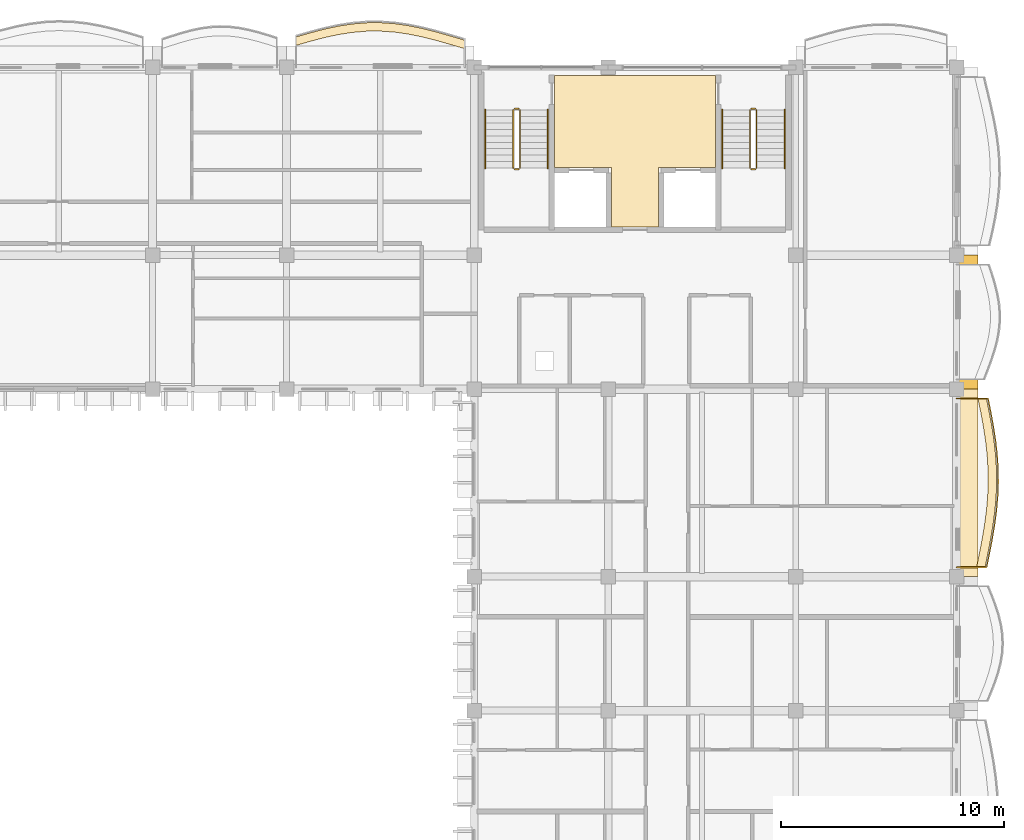
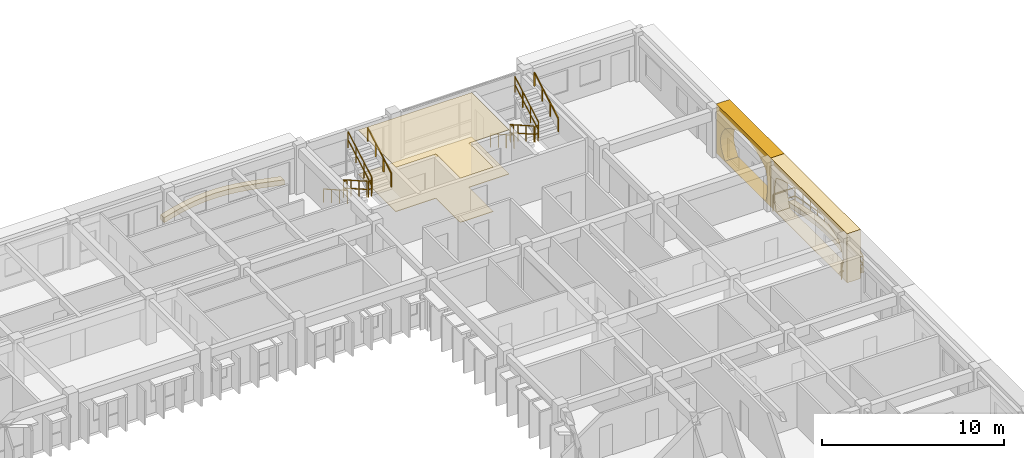
# One storey, part 99 of 101: 13 railings, 6 coverings.
"""IFC4 building model written with IfcOpenShell, lengths in metres."""

from ifc_helpers import new_model, si_unit, direction, frame, origin, origin_2d, place, context, subcontext, project, spatial, polyline, rectangle, outline, extrude, material, layer, layer_set, type_object, element, save


model = new_model("IFC4")

# Units and contexts
model_context = context("Model", 3, precision=1e-05, world=origin(), true_north=direction((0.0, 1.0)))
body_context = subcontext(model_context, "Body", "Model", "MODEL_VIEW")
ifc_project = project(units=[si_unit("LENGTHUNIT", "METRE"), si_unit("AREAUNIT", "SQUARE_METRE"), si_unit("VOLUMEUNIT", "CUBIC_METRE"), si_unit("PLANEANGLEUNIT", "RADIAN"), si_unit("MASSUNIT", "GRAM", prefix="KILO"), si_unit("THERMODYNAMICTEMPERATUREUNIT", "KELVIN")], contexts=[model_context])

# Site, building, storey
site_placement = place(None, origin())
site = spatial("IfcSite", under=ifc_project, at=site_placement, CompositionType="ELEMENT")
building_placement = place(site_placement, origin())
building = spatial("IfcBuilding", under=site, at=building_placement, Name="Thalorik Housing Commons", CompositionType="ELEMENT")
storey_placement = place(building_placement, frame((0.0, 0.0, 8.10009765625)))
storey = spatial("IfcBuildingStorey", under=building, at=storey_placement, Name="L02", CompositionType="ELEMENT", Elevation=8.10009765625)

# Coverings
ifc_material_1 = material(Name="Precast concrete C40/50", Category="concrete")
ifc_layer_1 = layer(ifc_material_1, 0.85009765625, Name="Precast concrete C40/50", Category="concrete")
ifc_layer_set_1 = layer_set([ifc_layer_1], Name="Precast concrete C40/50")
covering_type_1 = type_object("IfcCoveringType", Name="ARC-CLD-CUSH-850", PredefinedType="CLADDING", material=ifc_layer_set_1)
covering_1_placement = place(storey_placement, frame((174.527587890625, 112.199951171875, 0.0), z_axis=(0.0, 0.0, 1.0), x_axis=(0.0, 1.0, 0.0)))
element("IfcCovering", 1, at=covering_1_placement, inside=storey, type_object=covering_type_1, Name="L02 White Precast Curved Cushion Bay Frame 1654", PredefinedType="CLADDING", context=body_context, shape_type="SweptSolid", body=[
    extrude(outline(polyline([(-3.0, 0.0), (3.0, 0.0), (3.0, 3.300048828125), (-3.0, 3.300048828125), (-3.0, 0.0)]), holes=[polyline([(2.0400390625, 0.02490234375), (2.3232421875, 0.387451171875), (2.493408203125, 0.75), (2.550048828125, 1.112548828125), (2.493408203125, 1.47509765625), (2.3232421875, 1.83740234375), (2.0400390625, 2.199951171875), (1.66748046875, 2.455810546875), (1.294921875, 2.656494140625), (0.922607421875, 2.819091796875), (0.550048828125, 2.940185546875), (0.177490234375, 3.014892578125), (-0.195068359375, 3.0400390625), (-0.5673828125, 3.014892578125), (-0.93994140625, 2.940185546875), (-1.3125, 2.819091796875), (-1.68505859375, 2.656494140625), (-2.0576171875, 2.455810546875), (-2.429931640625, 2.199951171875), (-2.55029296875, 1.83740234375), (-2.62255859375, 1.47509765625), (-2.646484375, 1.112548828125), (-2.62255859375, 0.75), (-2.55029296875, 0.387451171875), (-2.429931640625, 0.02490234375), (2.0400390625, 0.02490234375)])]), frame((0.0, 0.425048828125, 0.0), z_axis=(0.0, -1.0, 0.0), x_axis=(1.0, 0.0, 0.0)), (0.0, 0.0, 1.0), 0.85009765625),
])
covering_2_placement = place(storey_placement, frame((174.527587890625, 105.0, 0.0), z_axis=(0.0, 0.0, 1.0), x_axis=(0.0, 1.0, 0.0)))
element("IfcCovering", 2, at=covering_2_placement, inside=storey, type_object=covering_type_1, Name="L02 White Precast Curved Cushion Bay Frame 1846", PredefinedType="CLADDING", context=body_context, shape_type="SweptSolid", body=[
    extrude(outline(polyline([(-4.199951171875, 0.0), (4.199951171875, 0.0), (4.199951171875, 3.300048828125), (-4.199951171875, 3.300048828125), (-4.199951171875, 0.0)]), holes=[polyline([(3.586669921875, 0.02490234375), (3.716064453125, 0.407470703125), (3.793701171875, 0.7900390625), (3.819580078125, 1.172607421875), (3.793701171875, 1.554931640625), (3.716064453125, 1.9375), (3.586669921875, 2.320068359375), (3.017578125, 2.539306640625), (2.44873046875, 2.711181640625), (1.8798828125, 2.8505859375), (1.31103515625, 2.954345703125), (0.7421875, 3.018310546875), (0.17333984375, 3.0400390625), (-0.3955078125, 3.018310546875), (-0.964599609375, 2.954345703125), (-1.533447265625, 2.8505859375), (-2.102294921875, 2.711181640625), (-2.671142578125, 2.539306640625), (-3.239990234375, 2.320068359375), (-3.523193359375, 1.9375), (-3.693359375, 1.554931640625), (-3.75, 1.172607421875), (-3.693359375, 0.7900390625), (-3.523193359375, 0.407470703125), (-3.239990234375, 0.02490234375), (3.586669921875, 0.02490234375)])]), frame((0.0, 0.425048828125, 0.0), z_axis=(0.0, -1.0, 0.0), x_axis=(1.0, 0.0, 0.0)), (0.0, 0.0, 1.0), 0.85009765625),
])
ifc_material_2 = material(Name="Acoustic wood-wool nursery ceiling panel", Category="wood")
ifc_layer_2 = layer(ifc_material_2, 0.035888671875, Name="Acoustic wood-wool nursery ceiling panel", Category="wood")
ifc_layer_set_2 = layer_set([ifc_layer_2], Name="Acoustic wood-wool nursery ceiling panel")
covering_type_2 = type_object("IfcCoveringType", Name="ARC-COV-CEIL-06", PredefinedType="CEILING", material=ifc_layer_set_2)
covering_3_placement = place(storey_placement, frame((0.0, 0.0, 2.9638671875)))
element("IfcCovering", 3, at=covering_3_placement, inside=storey, type_object=covering_type_2, Name="L02 Block B Firefighting Lift Lobby Suspended Ceiling", PredefinedType="CEILING", context=body_context, shape_type="SweptSolid", body=[
    extrude(outline(polyline([(158.550048828125, 116.449951171875), (160.64990234375, 116.449951171875), (160.650146484375, 119.1201171875), (163.199951171875, 119.1201171875), (163.199951171875, 123.25), (156.0, 123.25), (156.0, 119.1201171875), (158.550048828125, 119.1201171875), (158.550048828125, 116.449951171875)])), origin(), (0.0, 0.0, 1.0), 0.0361328125),
])
ifc_material_3 = material(Name="Epoxy-sealed concrete plant and bicycle hub finish", Category="concrete")
ifc_layer_3 = layer(ifc_material_3, 0.031982421875, Name="Epoxy-sealed concrete plant and bicycle hub finish", Category="concrete")
ifc_layer_set_3 = layer_set([ifc_layer_3], Name="Epoxy-sealed concrete plant and bicycle hub finish")
covering_type_3 = type_object("IfcCoveringType", Name="ARC-COV-FLR-06", PredefinedType="FLOORING", material=ifc_layer_set_3)
covering_4_placement = place(storey_placement, origin())
element("IfcCovering", 4, at=covering_4_placement, inside=storey, type_object=covering_type_3, Name="L02 Block B Firefighting Lift Lobby Flooring", PredefinedType="FLOORING", context=body_context, shape_type="SweptSolid", body=[
    extrude(outline(polyline([(158.550048828125, 116.449951171875), (160.64990234375, 116.449951171875), (160.650146484375, 119.1201171875), (163.199951171875, 119.1201171875), (163.199951171875, 123.25), (156.0, 123.25), (156.0, 119.1201171875), (158.550048828125, 119.1201171875), (158.550048828125, 116.449951171875)])), origin(), (0.0, 0.0, 1.0), 0.031982421875),
])
ifc_material_4 = material(Name="Planted vegetated substrate and terracotta trough", Category="masonry")
ifc_layer_4 = layer(ifc_material_4, 0.340087890625, Name="Planted vegetated substrate and terracotta trough", Category="masonry")
ifc_layer_set_4 = layer_set([ifc_layer_4], Name="Planted vegetated substrate and terracotta trough")
covering_type_4 = type_object("IfcCoveringType", Name="ARC-COV-PLANTER", PredefinedType="USERDEFINED", material=ifc_layer_set_4)
covering_5_placement = place(storey_placement, origin())
element("IfcCovering", 5, at=covering_5_placement, inside=storey, type_object=covering_type_4, Name="L02 Balcony Slab-Edge Planted Trough 5426", ObjectType="PLANTER", PredefinedType="USERDEFINED", context=body_context, shape_type="SweptSolid", body=[
    extrude(outline(polyline([(151.97998046875, 124.8193359375), (151.35009765625, 125.0048828125), (150.719970703125, 125.183349609375), (150.090087890625, 125.342529296875), (149.4599609375, 125.4716796875), (148.830078125, 125.561279296875), (148.199951171875, 125.60546875), (147.570068359375, 125.6005859375), (146.93994140625, 125.54736328125), (146.31005859375, 125.448974609375), (145.679931640625, 125.3125), (145.050048828125, 125.14697265625), (144.419921875, 124.9638671875), (144.419921875, 124.583740234375), (145.050048828125, 124.766845703125), (145.679931640625, 124.932373046875), (146.31005859375, 125.069091796875), (146.93994140625, 125.16748046875), (147.570068359375, 125.220703125), (148.199951171875, 125.225341796875), (148.830078125, 125.181396484375), (149.4599609375, 125.091796875), (150.090087890625, 124.962646484375), (150.719970703125, 124.80322265625), (151.35009765625, 124.624755859375), (151.97998046875, 124.439453125), (151.97998046875, 124.8193359375)])), origin(), (0.0, 0.0, 1.0), 0.33984375),
])
covering_6_placement = place(storey_placement, origin())
element("IfcCovering", 6, at=covering_6_placement, inside=storey, type_object=covering_type_4, Name="L02 Balcony Slab-Edge Planted Trough 5433", ObjectType="PLANTER", PredefinedType="USERDEFINED", context=body_context, shape_type="SweptSolid", body=[
    extrude(outline(polyline([(175.27734375, 101.219970703125), (175.40478515625, 101.85009765625), (175.525390625, 102.47998046875), (175.631103515625, 103.110107421875), (175.71484375, 103.739990234375), (175.771240234375, 104.3701171875), (175.796142578125, 105.0), (175.787841796875, 105.6298828125), (175.7470703125, 106.260009765625), (175.67626953125, 106.889892578125), (175.580322265625, 107.52001953125), (175.465087890625, 108.14990234375), (175.338623046875, 108.780029296875), (174.958740234375, 108.780029296875), (175.085205078125, 108.14990234375), (175.2001953125, 107.52001953125), (175.29638671875, 106.889892578125), (175.3671875, 106.260009765625), (175.407958984375, 105.6298828125), (175.416015625, 105.0), (175.39111328125, 104.3701171875), (175.3349609375, 103.739990234375), (175.251220703125, 103.110107421875), (175.1455078125, 102.47998046875), (175.02490234375, 101.85009765625), (174.897216796875, 101.219970703125), (175.27734375, 101.219970703125)])), origin(), (0.0, 0.0, 1.0), 0.33984375),
])

# Railings
ifc_material_5 = material(Name="Steel S355", Category="steel")
railing_type_1 = type_object("IfcRailingType", Name="ARC-RL-BAL-115", PredefinedType="BALUSTRADE", material=ifc_material_5)
railing_1_placement = place(storey_placement, frame((174.0, 101.219970703125, 0.0)))
element("IfcRailing", 7, at=railing_1_placement, inside=storey, type_object=railing_type_1, Name="L02 Cushion Balcony Guardrail 117", PredefinedType="BALUSTRADE", context=body_context, shape_type="SweptSolid", body=[
    extrude(rectangle(XDim=0.050048828125, YDim=0.050048828125, at=origin_2d()), frame((0.0, 0.0, 1.125), z_axis=(1.0, 0.0, 0.0), x_axis=(0.0, 1.0, 0.0)), (0.0, 0.0, 1.0), 1.347412109375),
    extrude(rectangle(XDim=0.050048828125, YDim=0.050048828125, at=origin_2d()), frame((0.0, 0.0, 0.5498046875), z_axis=(1.0, 0.0, 0.0), x_axis=(0.0, 1.0, 0.0)), (0.0, 0.0, 1.0), 1.347412109375),
    extrude(rectangle(XDim=0.050048828125, YDim=0.050048828125, at=origin_2d()), frame((1.347412109375, 0.0, 1.125), z_axis=(0.198233557602, 0.980154812588, 0.0), x_axis=(-0.980154812588, 0.198233557602, 0.0)), (0.0, 0.0, 1.0), 0.642822265625),
    extrude(rectangle(XDim=0.050048828125, YDim=0.050048828125, at=origin_2d()), frame((1.347412109375, 0.0, 0.5498046875), z_axis=(0.198233557602, 0.980154812588, 0.0), x_axis=(-0.980154812588, 0.198233557602, 0.0)), (0.0, 0.0, 1.0), 0.642822265625),
    extrude(rectangle(XDim=0.050048828125, YDim=0.050048828125, at=origin_2d()), frame((1.474853515625, 0.630126953125, 1.125), z_axis=(0.188056644538, 0.982158184024, 0.0), x_axis=(-0.982158184024, 0.188056644538, 0.0)), (0.0, 0.0, 1.0), 0.641357421875),
    extrude(rectangle(XDim=0.050048828125, YDim=0.050048828125, at=origin_2d()), frame((1.474853515625, 0.630126953125, 0.5498046875), z_axis=(0.188056644538, 0.982158184024, 0.0), x_axis=(-0.982158184024, 0.188056644538, 0.0)), (0.0, 0.0, 1.0), 0.641357421875),
    extrude(rectangle(XDim=0.050048828125, YDim=0.050048828125, at=origin_2d()), frame((1.595458984375, 1.260009765625, 1.125), z_axis=(0.165452269224, 0.986217798769, 0.0), x_axis=(-0.986217798769, 0.165452269224, 0.0)), (0.0, 0.0, 1.0), 0.638916015625),
    extrude(rectangle(XDim=0.050048828125, YDim=0.050048828125, at=origin_2d()), frame((1.595458984375, 1.260009765625, 0.5498046875), z_axis=(0.165452269224, 0.986217798769, 0.0), x_axis=(-0.986217798769, 0.165452269224, 0.0)), (0.0, 0.0, 1.0), 0.638916015625),
    extrude(rectangle(XDim=0.050048828125, YDim=0.050048828125, at=origin_2d()), frame((1.701171875, 1.89013671875, 1.125), z_axis=(0.131786205367, 0.991278162816, 0.0), x_axis=(-0.991278162816, 0.131786205367, 0.0)), (0.0, 0.0, 1.0), 0.635498046875),
    extrude(rectangle(XDim=0.050048828125, YDim=0.050048828125, at=origin_2d()), frame((1.701171875, 1.89013671875, 0.5498046875), z_axis=(0.131786205367, 0.991278162816, 0.0), x_axis=(-0.991278162816, 0.131786205367, 0.0)), (0.0, 0.0, 1.0), 0.635498046875),
    extrude(rectangle(XDim=0.050048828125, YDim=0.050048828125, at=origin_2d()), frame((1.784912109375, 2.52001953125, 1.125), z_axis=(0.089143871964, 0.996018759909, 0.0), x_axis=(-0.996018759909, 0.089143871964, 0.0)), (0.0, 0.0, 1.0), 0.632568359375),
    extrude(rectangle(XDim=0.050048828125, YDim=0.050048828125, at=origin_2d()), frame((1.784912109375, 2.52001953125, 0.5498046875), z_axis=(0.089143871964, 0.996018759909, 0.0), x_axis=(-0.996018759909, 0.089143871964, 0.0)), (0.0, 0.0, 1.0), 0.632568359375),
    extrude(rectangle(XDim=0.050048828125, YDim=0.050048828125, at=origin_2d()), frame((1.84130859375, 3.150146484375, 1.125), z_axis=(0.039504023242, 0.999219411415, 0.0), x_axis=(-0.999219411415, 0.039504023242, 0.0)), (0.0, 0.0, 1.0), 0.63037109375),
    extrude(rectangle(XDim=0.050048828125, YDim=0.050048828125, at=origin_2d()), frame((1.84130859375, 3.150146484375, 0.5498046875), z_axis=(0.039504023242, 0.999219411415, 0.0), x_axis=(-0.999219411415, 0.039504023242, 0.0)), (0.0, 0.0, 1.0), 0.63037109375),
    extrude(rectangle(XDim=0.050048828125, YDim=0.050048828125, at=origin_2d()), frame((1.8662109375, 3.780029296875, 1.125), z_axis=(-0.013177150402, 0.999913177585, 0.0), x_axis=(-0.999913177585, -0.013177150402, 0.0)), (0.0, 0.0, 1.0), 0.6298828125),
    extrude(rectangle(XDim=0.050048828125, YDim=0.050048828125, at=origin_2d()), frame((1.8662109375, 3.780029296875, 0.5498046875), z_axis=(-0.013177150402, 0.999913177585, 0.0), x_axis=(-0.999913177585, -0.013177150402, 0.0)), (0.0, 0.0, 1.0), 0.6298828125),
    extrude(rectangle(XDim=0.050048828125, YDim=0.050048828125, at=origin_2d()), frame((1.85791015625, 4.409912109375, 1.125), z_axis=(-0.064568584417, 0.997913271736, 0.0), x_axis=(-0.997913271736, -0.064568584417, 0.0)), (0.0, 0.0, 1.0), 0.63134765625),
    extrude(rectangle(XDim=0.050048828125, YDim=0.050048828125, at=origin_2d()), frame((1.85791015625, 4.409912109375, 0.5498046875), z_axis=(-0.064568584417, 0.997913271736, 0.0), x_axis=(-0.997913271736, -0.064568584417, 0.0)), (0.0, 0.0, 1.0), 0.63134765625),
    extrude(rectangle(XDim=0.050048828125, YDim=0.050048828125, at=origin_2d()), frame((1.817138671875, 5.0400390625, 1.125), z_axis=(-0.1116996832, 0.993742009162, 0.0), x_axis=(-0.993742009162, -0.1116996832, 0.0)), (0.0, 0.0, 1.0), 0.6337890625),
    extrude(rectangle(XDim=0.050048828125, YDim=0.050048828125, at=origin_2d()), frame((1.817138671875, 5.0400390625, 0.5498046875), z_axis=(-0.1116996832, 0.993742009162, 0.0), x_axis=(-0.993742009162, -0.1116996832, 0.0)), (0.0, 0.0, 1.0), 0.6337890625),
    extrude(rectangle(XDim=0.050048828125, YDim=0.050048828125, at=origin_2d()), frame((1.746337890625, 5.669921875, 1.125), z_axis=(-0.150531517902, 0.988605210445, 0.0), x_axis=(-0.988605210445, -0.150531517902, 0.0)), (0.0, 0.0, 1.0), 0.637451171875),
    extrude(rectangle(XDim=0.050048828125, YDim=0.050048828125, at=origin_2d()), frame((1.746337890625, 5.669921875, 0.5498046875), z_axis=(-0.150531517902, 0.988605210445, 0.0), x_axis=(-0.988605210445, -0.150531517902, 0.0)), (0.0, 0.0, 1.0), 0.637451171875),
    extrude(rectangle(XDim=0.050048828125, YDim=0.050048828125, at=origin_2d()), frame((1.650390625, 6.300048828125, 1.125), z_axis=(-0.179958985295, 0.983674114538, 0.0), x_axis=(-0.983674114538, -0.179958985295, 0.0)), (0.0, 0.0, 1.0), 0.640380859375),
    extrude(rectangle(XDim=0.050048828125, YDim=0.050048828125, at=origin_2d()), frame((1.650390625, 6.300048828125, 0.5498046875), z_axis=(-0.179958985295, 0.983674114538, 0.0), x_axis=(-0.983674114538, -0.179958985295, 0.0)), (0.0, 0.0, 1.0), 0.640380859375),
    extrude(rectangle(XDim=0.050048828125, YDim=0.050048828125, at=origin_2d()), frame((1.53515625, 6.929931640625, 1.125), z_axis=(-0.196773561375, 0.980448961213, 0.0), x_axis=(-0.980448961213, -0.196773561375, 0.0)), (0.0, 0.0, 1.0), 0.642578125),
    extrude(rectangle(XDim=0.050048828125, YDim=0.050048828125, at=origin_2d()), frame((1.53515625, 6.929931640625, 0.5498046875), z_axis=(-0.196773561375, 0.980448961213, 0.0), x_axis=(-0.980448961213, -0.196773561375, 0.0)), (0.0, 0.0, 1.0), 0.642578125),
    extrude(rectangle(XDim=0.050048828125, YDim=0.050048828125, at=origin_2d()), frame((1.40869140625, 7.56005859375, 1.125), z_axis=(-1.0, 0.0, 0.0), x_axis=(0.0, -1.0, 0.0)), (0.0, 0.0, 1.0), 1.40869140625),
    extrude(rectangle(XDim=0.050048828125, YDim=0.050048828125, at=origin_2d()), frame((1.40869140625, 7.56005859375, 0.5498046875), z_axis=(-1.0, 0.0, 0.0), x_axis=(0.0, -1.0, 0.0)), (0.0, 0.0, 1.0), 1.40869140625),
    extrude(rectangle(XDim=0.0419921875, YDim=0.0419921875, at=origin_2d()), origin(), (0.0, 0.0, 1.0), 1.099853515625),
    extrude(rectangle(XDim=0.0419921875, YDim=0.0419921875, at=origin_2d()), frame((1.347412109375, 0.0, 0.0)), (0.0, 0.0, 1.0), 1.099853515625),
    extrude(rectangle(XDim=0.0419921875, YDim=0.0419921875, at=origin_2d()), frame((1.474853515625, 0.630126953125, 0.0)), (0.0, 0.0, 1.0), 1.099853515625),
    extrude(rectangle(XDim=0.0419921875, YDim=0.0419921875, at=origin_2d()), frame((1.595458984375, 1.260009765625, 0.0)), (0.0, 0.0, 1.0), 1.099853515625),
    extrude(rectangle(XDim=0.0419921875, YDim=0.0419921875, at=origin_2d()), frame((1.701171875, 1.89013671875, 0.0)), (0.0, 0.0, 1.0), 1.099853515625),
    extrude(rectangle(XDim=0.0419921875, YDim=0.0419921875, at=origin_2d()), frame((1.784912109375, 2.52001953125, 0.0)), (0.0, 0.0, 1.0), 1.099853515625),
    extrude(rectangle(XDim=0.0419921875, YDim=0.0419921875, at=origin_2d()), frame((1.84130859375, 3.150146484375, 0.0)), (0.0, 0.0, 1.0), 1.099853515625),
    extrude(rectangle(XDim=0.0419921875, YDim=0.0419921875, at=origin_2d()), frame((1.8662109375, 3.780029296875, 0.0)), (0.0, 0.0, 1.0), 1.099853515625),
    extrude(rectangle(XDim=0.0419921875, YDim=0.0419921875, at=origin_2d()), frame((1.85791015625, 4.409912109375, 0.0)), (0.0, 0.0, 1.0), 1.099853515625),
    extrude(rectangle(XDim=0.0419921875, YDim=0.0419921875, at=origin_2d()), frame((1.817138671875, 5.0400390625, 0.0)), (0.0, 0.0, 1.0), 1.099853515625),
    extrude(rectangle(XDim=0.0419921875, YDim=0.0419921875, at=origin_2d()), frame((1.746337890625, 5.669921875, 0.0)), (0.0, 0.0, 1.0), 1.099853515625),
    extrude(rectangle(XDim=0.0419921875, YDim=0.0419921875, at=origin_2d()), frame((1.650390625, 6.300048828125, 0.0)), (0.0, 0.0, 1.0), 1.099853515625),
    extrude(rectangle(XDim=0.0419921875, YDim=0.0419921875, at=origin_2d()), frame((1.53515625, 6.929931640625, 0.0)), (0.0, 0.0, 1.0), 1.099853515625),
    extrude(rectangle(XDim=0.0419921875, YDim=0.0419921875, at=origin_2d()), frame((1.40869140625, 7.56005859375, 0.0)), (0.0, 0.0, 1.0), 1.099853515625),
    extrude(rectangle(XDim=0.0419921875, YDim=0.0419921875, at=origin_2d()), frame((0.0, 7.56005859375, 0.0)), (0.0, 0.0, 1.0), 1.099853515625),
])
railing_type_2 = type_object("IfcRailingType", Name="ARC-RL-STR-GRD110", PredefinedType="GUARDRAIL", material=ifc_material_5)
railing_2_placement = place(storey_placement, frame((154.14990234375, 121.699951171875, 0.164794921875)))
element("IfcRailing", 8, at=railing_2_placement, inside=storey, type_object=railing_type_2, Name="L02 ST-B1 stair guard 1", PredefinedType="GUARDRAIL", context=body_context, shape_type="SweptSolid", body=[
    extrude(rectangle(XDim=0.048095703125, YDim=0.048095703125, at=origin_2d()), frame((0.0, 0.0, 1.076171875), z_axis=(0.0, -0.869137319866, 0.494570843475), x_axis=(1.0, 0.0, 0.0)), (0.0, 0.0, 1.0), 3.0029296875),
    extrude(rectangle(XDim=0.048095703125, YDim=0.048095703125, at=origin_2d()), frame((0.0, 0.0, 0.52587890625), z_axis=(0.0, -0.869137319866, 0.494570843475), x_axis=(1.0, 0.0, 0.0)), (0.0, 0.0, 1.0), 3.0029296875),
    extrude(rectangle(XDim=0.0419921875, YDim=0.0419921875, at=origin_2d()), origin(), (0.0, 0.0, 1.0), 1.052001953125),
    extrude(rectangle(XDim=0.0419921875, YDim=0.0419921875, at=origin_2d()), frame((0.0, -0.869873046875, 0.4951171875)), (0.0, 0.0, 1.0), 1.052001953125),
    extrude(rectangle(XDim=0.0419921875, YDim=0.0419921875, at=origin_2d()), frame((0.0, -1.739990234375, 0.989990234375)), (0.0, 0.0, 1.0), 1.052001953125),
    extrude(rectangle(XDim=0.0419921875, YDim=0.0419921875, at=origin_2d()), frame((0.0, -2.60986328125, 1.485107421875)), (0.0, 0.0, 1.0), 1.052001953125),
])
railing_3_placement = place(storey_placement, frame((154.199951171875, 119.0400390625, 1.64990234375)))
element("IfcRailing", 9, at=railing_3_placement, inside=storey, type_object=railing_type_2, Name="L02 ST-B1 stair guard 2", PredefinedType="GUARDRAIL", context=body_context, shape_type="SweptSolid", body=[
    extrude(rectangle(XDim=0.048095703125, YDim=0.048095703125, at=origin_2d()), frame((0.0, 0.0, 1.076171875), z_axis=(1.0, 0.0, 0.0), x_axis=(0.0, 1.0, 0.0)), (0.0, 0.0, 1.0), 0.199951171875),
    extrude(rectangle(XDim=0.048095703125, YDim=0.048095703125, at=origin_2d()), frame((0.0, 0.0, 0.52587890625), z_axis=(1.0, 0.0, 0.0), x_axis=(0.0, 1.0, 0.0)), (0.0, 0.0, 1.0), 0.199951171875),
    extrude(rectangle(XDim=0.0419921875, YDim=0.0419921875, at=origin_2d()), origin(), (0.0, 0.0, 1.0), 1.052001953125),
    extrude(rectangle(XDim=0.0419921875, YDim=0.0419921875, at=origin_2d()), frame((0.199951171875, 0.0, 0.0)), (0.0, 0.0, 1.0), 1.052001953125),
])
railing_4_placement = place(storey_placement, frame((154.449951171875, 119.090087890625, 1.81494140625)))
element("IfcRailing", 10, at=railing_4_placement, inside=storey, type_object=railing_type_2, Name="L02 ST-B1 stair guard 3", PredefinedType="GUARDRAIL", context=body_context, shape_type="SweptSolid", body=[
    extrude(rectangle(XDim=0.048095703125, YDim=0.048095703125, at=origin_2d()), frame((0.0, 0.0, 1.076171875), z_axis=(0.0, 0.869172267526, 0.494509422927), x_axis=(-1.0, 0.0, 0.0)), (0.0, 0.0, 1.0), 3.002685546875),
    extrude(rectangle(XDim=0.048095703125, YDim=0.048095703125, at=origin_2d()), frame((0.0, 0.0, 0.52587890625), z_axis=(0.0, 0.869172267526, 0.494509422927), x_axis=(-1.0, 0.0, 0.0)), (0.0, 0.0, 1.0), 3.002685546875),
    extrude(rectangle(XDim=0.0419921875, YDim=0.0419921875, at=origin_2d()), origin(), (0.0, 0.0, 1.0), 1.052001953125),
    extrude(rectangle(XDim=0.0419921875, YDim=0.0419921875, at=origin_2d()), frame((0.0, 0.869873046875, 0.494873046875)), (0.0, 0.0, 1.0), 1.052001953125),
    extrude(rectangle(XDim=0.0419921875, YDim=0.0419921875, at=origin_2d()), frame((0.0, 1.739990234375, 0.989990234375)), (0.0, 0.0, 1.0), 1.052001953125),
    extrude(rectangle(XDim=0.0419921875, YDim=0.0419921875, at=origin_2d()), frame((0.0, 2.60986328125, 1.48486328125)), (0.0, 0.0, 1.0), 1.052001953125),
])
railing_5_placement = place(storey_placement, frame((154.199951171875, 121.75, 0.0)))
element("IfcRailing", 11, at=railing_5_placement, inside=storey, type_object=railing_type_2, Name="L02 ST-B1 stair guard 4", PredefinedType="GUARDRAIL", context=body_context, shape_type="SweptSolid", body=[
    extrude(rectangle(XDim=0.048095703125, YDim=0.048095703125, at=origin_2d()), frame((0.0, 0.0, 1.076171875), z_axis=(1.0, 0.0, 0.0), x_axis=(0.0, 1.0, 0.0)), (0.0, 0.0, 1.0), 0.199951171875),
    extrude(rectangle(XDim=0.048095703125, YDim=0.048095703125, at=origin_2d()), frame((0.0, 0.0, 0.52587890625), z_axis=(1.0, 0.0, 0.0), x_axis=(0.0, 1.0, 0.0)), (0.0, 0.0, 1.0), 0.199951171875),
    extrude(rectangle(XDim=0.0419921875, YDim=0.0419921875, at=origin_2d()), origin(), (0.0, 0.0, 1.0), 1.052001953125),
    extrude(rectangle(XDim=0.0419921875, YDim=0.0419921875, at=origin_2d()), frame((0.199951171875, 0.0, 0.0)), (0.0, 0.0, 1.0), 1.052001953125),
])
railing_6_placement = place(storey_placement, frame((164.75, 121.699951171875, 0.164794921875)))
element("IfcRailing", 12, at=railing_6_placement, inside=storey, type_object=railing_type_2, Name="L02 ST-B2 stair guard 1", PredefinedType="GUARDRAIL", context=body_context, shape_type="SweptSolid", body=[
    extrude(rectangle(XDim=0.048095703125, YDim=0.048095703125, at=origin_2d()), frame((0.0, 0.0, 1.076171875), z_axis=(0.0, -0.869137319866, 0.494570843475), x_axis=(1.0, 0.0, 0.0)), (0.0, 0.0, 1.0), 3.0029296875),
    extrude(rectangle(XDim=0.048095703125, YDim=0.048095703125, at=origin_2d()), frame((0.0, 0.0, 0.52587890625), z_axis=(0.0, -0.869137319866, 0.494570843475), x_axis=(1.0, 0.0, 0.0)), (0.0, 0.0, 1.0), 3.0029296875),
    extrude(rectangle(XDim=0.0419921875, YDim=0.0419921875, at=origin_2d()), origin(), (0.0, 0.0, 1.0), 1.052001953125),
    extrude(rectangle(XDim=0.0419921875, YDim=0.0419921875, at=origin_2d()), frame((0.0, -0.869873046875, 0.4951171875)), (0.0, 0.0, 1.0), 1.052001953125),
    extrude(rectangle(XDim=0.0419921875, YDim=0.0419921875, at=origin_2d()), frame((0.0, -1.739990234375, 0.989990234375)), (0.0, 0.0, 1.0), 1.052001953125),
    extrude(rectangle(XDim=0.0419921875, YDim=0.0419921875, at=origin_2d()), frame((0.0, -2.60986328125, 1.485107421875)), (0.0, 0.0, 1.0), 1.052001953125),
])
railing_7_placement = place(storey_placement, frame((164.800048828125, 119.0400390625, 1.64990234375)))
element("IfcRailing", 13, at=railing_7_placement, inside=storey, type_object=railing_type_2, Name="L02 ST-B2 stair guard 2", PredefinedType="GUARDRAIL", context=body_context, shape_type="SweptSolid", body=[
    extrude(rectangle(XDim=0.048095703125, YDim=0.048095703125, at=origin_2d()), frame((0.0, 0.0, 1.076171875), z_axis=(1.0, 0.0, 0.0), x_axis=(0.0, 1.0, 0.0)), (0.0, 0.0, 1.0), 0.199951171875),
    extrude(rectangle(XDim=0.048095703125, YDim=0.048095703125, at=origin_2d()), frame((0.0, 0.0, 0.52587890625), z_axis=(1.0, 0.0, 0.0), x_axis=(0.0, 1.0, 0.0)), (0.0, 0.0, 1.0), 0.199951171875),
    extrude(rectangle(XDim=0.0419921875, YDim=0.0419921875, at=origin_2d()), origin(), (0.0, 0.0, 1.0), 1.052001953125),
    extrude(rectangle(XDim=0.0419921875, YDim=0.0419921875, at=origin_2d()), frame((0.199951171875, 0.0, 0.0)), (0.0, 0.0, 1.0), 1.052001953125),
])
railing_8_placement = place(storey_placement, frame((165.050048828125, 119.090087890625, 1.81494140625)))
element("IfcRailing", 14, at=railing_8_placement, inside=storey, type_object=railing_type_2, Name="L02 ST-B2 stair guard 3", PredefinedType="GUARDRAIL", context=body_context, shape_type="SweptSolid", body=[
    extrude(rectangle(XDim=0.048095703125, YDim=0.048095703125, at=origin_2d()), frame((0.0, 0.0, 1.076171875), z_axis=(0.0, 0.869172267526, 0.494509422927), x_axis=(-1.0, 0.0, 0.0)), (0.0, 0.0, 1.0), 3.002685546875),
    extrude(rectangle(XDim=0.048095703125, YDim=0.048095703125, at=origin_2d()), frame((0.0, 0.0, 0.52587890625), z_axis=(0.0, 0.869172267526, 0.494509422927), x_axis=(-1.0, 0.0, 0.0)), (0.0, 0.0, 1.0), 3.002685546875),
    extrude(rectangle(XDim=0.0419921875, YDim=0.0419921875, at=origin_2d()), origin(), (0.0, 0.0, 1.0), 1.052001953125),
    extrude(rectangle(XDim=0.0419921875, YDim=0.0419921875, at=origin_2d()), frame((0.0, 0.869873046875, 0.494873046875)), (0.0, 0.0, 1.0), 1.052001953125),
    extrude(rectangle(XDim=0.0419921875, YDim=0.0419921875, at=origin_2d()), frame((0.0, 1.739990234375, 0.989990234375)), (0.0, 0.0, 1.0), 1.052001953125),
    extrude(rectangle(XDim=0.0419921875, YDim=0.0419921875, at=origin_2d()), frame((0.0, 2.60986328125, 1.48486328125)), (0.0, 0.0, 1.0), 1.052001953125),
])
railing_9_placement = place(storey_placement, frame((164.800048828125, 121.75, 0.0)))
element("IfcRailing", 15, at=railing_9_placement, inside=storey, type_object=railing_type_2, Name="L02 ST-B2 stair guard 4", PredefinedType="GUARDRAIL", context=body_context, shape_type="SweptSolid", body=[
    extrude(rectangle(XDim=0.048095703125, YDim=0.048095703125, at=origin_2d()), frame((0.0, 0.0, 1.076171875), z_axis=(1.0, 0.0, 0.0), x_axis=(0.0, 1.0, 0.0)), (0.0, 0.0, 1.0), 0.199951171875),
    extrude(rectangle(XDim=0.048095703125, YDim=0.048095703125, at=origin_2d()), frame((0.0, 0.0, 0.52587890625), z_axis=(1.0, 0.0, 0.0), x_axis=(0.0, 1.0, 0.0)), (0.0, 0.0, 1.0), 0.199951171875),
    extrude(rectangle(XDim=0.0419921875, YDim=0.0419921875, at=origin_2d()), origin(), (0.0, 0.0, 1.0), 1.052001953125),
    extrude(rectangle(XDim=0.0419921875, YDim=0.0419921875, at=origin_2d()), frame((0.199951171875, 0.0, 0.0)), (0.0, 0.0, 1.0), 1.052001953125),
])
railing_type_3 = type_object("IfcRailingType", Name="ARC-RL-STR-HR092", PredefinedType="HANDRAIL", material=ifc_material_5)
railing_10_placement = place(storey_placement, frame((152.89990234375, 121.699951171875, 0.164794921875)))
element("IfcRailing", 16, at=railing_10_placement, inside=storey, type_object=railing_type_3, Name="L02 ST-B1 stair handrail 1", PredefinedType="HANDRAIL", context=body_context, shape_type="SweptSolid", body=[
    extrude(rectangle(XDim=0.048095703125, YDim=0.048095703125, at=origin_2d()), frame((0.0, 0.0, 0.89599609375), z_axis=(0.0, -0.869137319866, 0.494570843475), x_axis=(1.0, 0.0, 0.0)), (0.0, 0.0, 1.0), 3.0029296875),
    extrude(rectangle(XDim=0.0419921875, YDim=0.0419921875, at=origin_2d()), origin(), (0.0, 0.0, 1.0), 0.871826171875),
    extrude(rectangle(XDim=0.0419921875, YDim=0.0419921875, at=origin_2d()), frame((0.0, -0.869873046875, 0.4951171875)), (0.0, 0.0, 1.0), 0.871826171875),
    extrude(rectangle(XDim=0.0419921875, YDim=0.0419921875, at=origin_2d()), frame((0.0, -1.739990234375, 0.989990234375)), (0.0, 0.0, 1.0), 0.871826171875),
    extrude(rectangle(XDim=0.0419921875, YDim=0.0419921875, at=origin_2d()), frame((0.0, -2.60986328125, 1.485107421875)), (0.0, 0.0, 1.0), 0.871826171875),
])
railing_11_placement = place(storey_placement, frame((155.699951171875, 119.090087890625, 1.81494140625)))
element("IfcRailing", 17, at=railing_11_placement, inside=storey, type_object=railing_type_3, Name="L02 ST-B1 stair handrail 2", PredefinedType="HANDRAIL", context=body_context, shape_type="SweptSolid", body=[
    extrude(rectangle(XDim=0.048095703125, YDim=0.048095703125, at=origin_2d()), frame((0.0, 0.0, 0.89599609375), z_axis=(0.0, 0.869172267526, 0.494509422927), x_axis=(-1.0, 0.0, 0.0)), (0.0, 0.0, 1.0), 3.002685546875),
    extrude(rectangle(XDim=0.0419921875, YDim=0.0419921875, at=origin_2d()), origin(), (0.0, 0.0, 1.0), 0.871826171875),
    extrude(rectangle(XDim=0.0419921875, YDim=0.0419921875, at=origin_2d()), frame((0.0, 0.869873046875, 0.494873046875)), (0.0, 0.0, 1.0), 0.871826171875),
    extrude(rectangle(XDim=0.0419921875, YDim=0.0419921875, at=origin_2d()), frame((0.0, 1.739990234375, 0.989990234375)), (0.0, 0.0, 1.0), 0.871826171875),
    extrude(rectangle(XDim=0.0419921875, YDim=0.0419921875, at=origin_2d()), frame((0.0, 2.60986328125, 1.48486328125)), (0.0, 0.0, 1.0), 0.871826171875),
])
railing_12_placement = place(storey_placement, frame((163.5, 121.699951171875, 0.164794921875)))
element("IfcRailing", 18, at=railing_12_placement, inside=storey, type_object=railing_type_3, Name="L02 ST-B2 stair handrail 1", PredefinedType="HANDRAIL", context=body_context, shape_type="SweptSolid", body=[
    extrude(rectangle(XDim=0.048095703125, YDim=0.048095703125, at=origin_2d()), frame((0.0, 0.0, 0.89599609375), z_axis=(0.0, -0.869137319866, 0.494570843475), x_axis=(1.0, 0.0, 0.0)), (0.0, 0.0, 1.0), 3.0029296875),
    extrude(rectangle(XDim=0.0419921875, YDim=0.0419921875, at=origin_2d()), origin(), (0.0, 0.0, 1.0), 0.871826171875),
    extrude(rectangle(XDim=0.0419921875, YDim=0.0419921875, at=origin_2d()), frame((0.0, -0.869873046875, 0.4951171875)), (0.0, 0.0, 1.0), 0.871826171875),
    extrude(rectangle(XDim=0.0419921875, YDim=0.0419921875, at=origin_2d()), frame((0.0, -1.739990234375, 0.989990234375)), (0.0, 0.0, 1.0), 0.871826171875),
    extrude(rectangle(XDim=0.0419921875, YDim=0.0419921875, at=origin_2d()), frame((0.0, -2.60986328125, 1.485107421875)), (0.0, 0.0, 1.0), 0.871826171875),
])
railing_13_placement = place(storey_placement, frame((166.300048828125, 119.090087890625, 1.81494140625)))
element("IfcRailing", 19, at=railing_13_placement, inside=storey, type_object=railing_type_3, Name="L02 ST-B2 stair handrail 2", PredefinedType="HANDRAIL", context=body_context, shape_type="SweptSolid", body=[
    extrude(rectangle(XDim=0.048095703125, YDim=0.048095703125, at=origin_2d()), frame((0.0, 0.0, 0.89599609375), z_axis=(0.0, 0.869172267526, 0.494509422927), x_axis=(-1.0, 0.0, 0.0)), (0.0, 0.0, 1.0), 3.002685546875),
    extrude(rectangle(XDim=0.0419921875, YDim=0.0419921875, at=origin_2d()), origin(), (0.0, 0.0, 1.0), 0.871826171875),
    extrude(rectangle(XDim=0.0419921875, YDim=0.0419921875, at=origin_2d()), frame((0.0, 0.869873046875, 0.494873046875)), (0.0, 0.0, 1.0), 0.871826171875),
    extrude(rectangle(XDim=0.0419921875, YDim=0.0419921875, at=origin_2d()), frame((0.0, 1.739990234375, 0.989990234375)), (0.0, 0.0, 1.0), 0.871826171875),
    extrude(rectangle(XDim=0.0419921875, YDim=0.0419921875, at=origin_2d()), frame((0.0, 2.60986328125, 1.48486328125)), (0.0, 0.0, 1.0), 0.871826171875),
])

save(model, "model.ifc")
